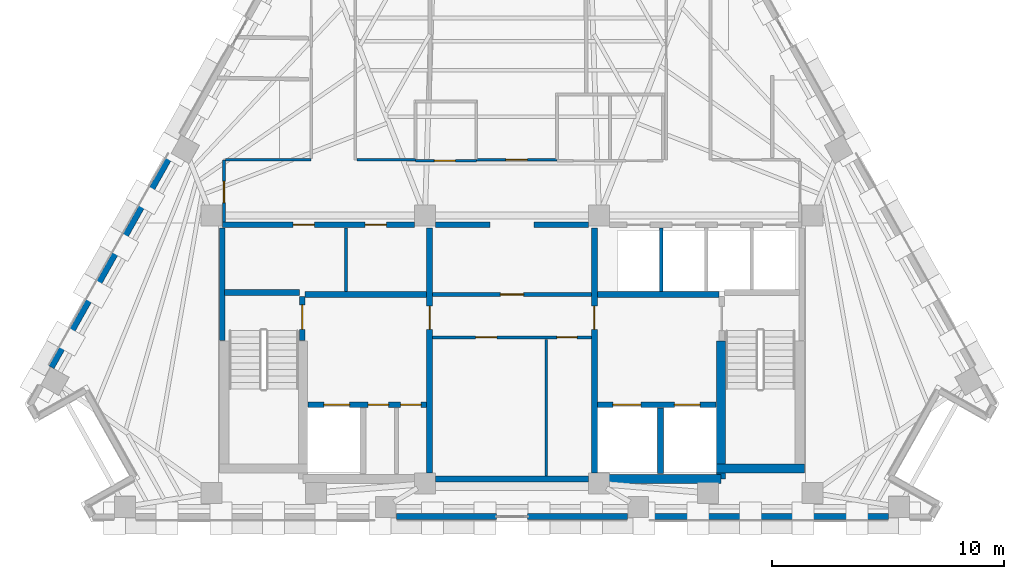
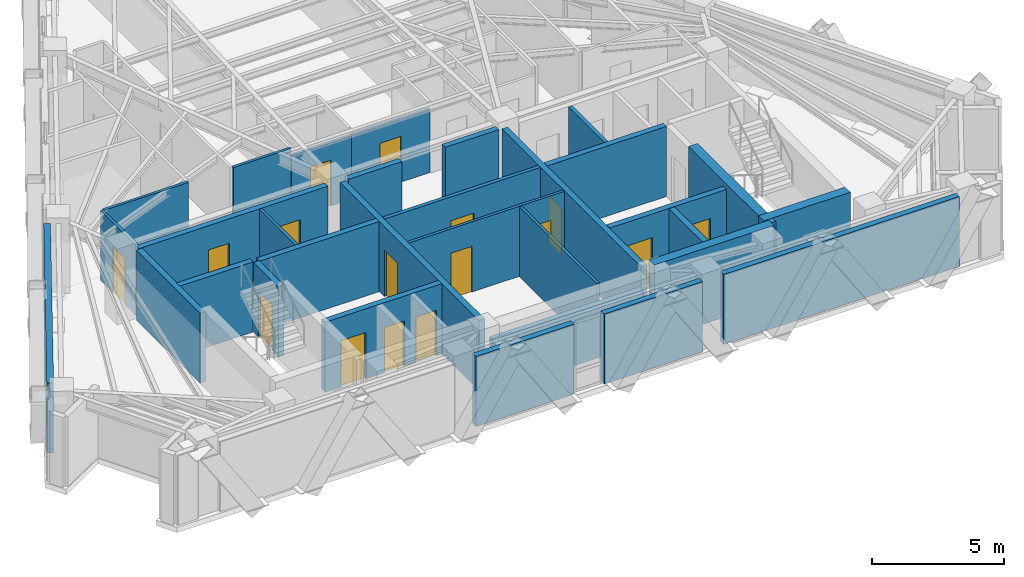
# One storey, part 7 of 12: 31 walls, 16 doors, 16 openings.
"""IFC4 building model written with IfcOpenShell, lengths in metres."""

import ifcopenshell
import ifcopenshell.guid

model = None  # the IFC model being written
_history = None  # IfcOwnerHistory: only IFC2X3 demands one
_inside = {}  # id of a spatial element -> (the spatial element, [elements in it])
_under = {}  # id of a project, library or spatial element -> (it, [spatial elements below it])
_declared = {}  # id of a project -> (the project, [libraries it declares])
_typed = {}  # id of a type object -> (the type object, [elements of that type])
_made_of = {}  # id of a material, layer set ... -> (it, [elements and type objects made of it])


def new_model(schema):
    """Start an empty IFC model of exactly this schema.

    Asked for "IFC4X3", IfcOpenShell would pick the latest addendum, in which some entities
    have other attributes; the version numbers below select the first issue.
    IFC2X3 requires an IfcOwnerHistory on every rooted entity: one is made here for all.
    """
    global model, _history
    if schema == "IFC4X3":
        model = ifcopenshell.file(schema_version=(4, 3, 0, 0))
    else:
        model = ifcopenshell.file(schema=schema)
    _inside.clear()
    _under.clear()
    _declared.clear()
    _typed.clear()
    _made_of.clear()
    _history = None
    if model.schema == "IFC2X3":
        org = make("IfcOrganization", Name="unknown")
        user = make(
            "IfcPersonAndOrganization",
            ThePerson=make("IfcPerson", FamilyName="unknown"),
            TheOrganization=org,
        )
        app = make(
            "IfcApplication",
            ApplicationDeveloper=org,
            Version="unknown",
            ApplicationFullName="unknown",
            ApplicationIdentifier="unknown",
        )
        _history = make(
            "IfcOwnerHistory",
            OwningUser=user,
            OwningApplication=app,
            ChangeAction="ADDED",
            CreationDate=0,
        )
    return model


def make(cls, **values):
    """One entity of the class cls with the attributes given. An attribute that is None is left unset."""
    return model.create_entity(
        cls, **{name: value for name, value in values.items() if value is not None}
    )


def rooted(cls, **values):
    """An entity with a GlobalId (a new one), such as an element, a storey or a relation."""
    return make(cls, GlobalId=ifcopenshell.guid.new(), OwnerHistory=_history, **values)


def si_unit(unit_type, name, prefix=None):
    """IfcSIUnit, for example si_unit("LENGTHUNIT", "METRE", prefix="MILLI")."""
    return make("IfcSIUnit", UnitType=unit_type, Prefix=prefix, Name=name)


def assignment(units):
    """IfcUnitAssignment: the units of a project."""
    return None if units is None else make("IfcUnitAssignment", Units=units)


def point(xyz):
    """IfcCartesianPoint."""
    return None if xyz is None else make("IfcCartesianPoint", Coordinates=xyz)


def direction(xyz):
    """IfcDirection."""
    return None if xyz is None else make("IfcDirection", DirectionRatios=xyz)


def frame(location, z_axis=None, x_axis=None):
    """IfcAxis2Placement3D, a coordinate frame: its origin and axes. An axis left out is left unset."""
    return make(
        "IfcAxis2Placement3D",
        Location=point(location),
        Axis=direction(z_axis),
        RefDirection=direction(x_axis),
    )


def frame_2d(location, x_axis=None):
    """IfcAxis2Placement2D, a coordinate frame in the plane: its origin and x axis."""
    return make(
        "IfcAxis2Placement2D", Location=point(location), RefDirection=direction(x_axis)
    )


def origin():
    """The frame at (0, 0, 0) with its axes left unset."""
    return frame((0.0, 0.0, 0.0))


def place(relative_to, where):
    """IfcLocalPlacement: puts the frame where relative to a parent placement (None: the world)."""
    return make(
        "IfcLocalPlacement", PlacementRelTo=relative_to, RelativePlacement=where
    )


def context(
    kind, dimensions, precision=None, world=None, true_north=None, identifier=None
):
    """IfcGeometricRepresentationContext, for example the 3D "Model" context."""
    return make(
        "IfcGeometricRepresentationContext",
        ContextIdentifier=identifier,
        ContextType=kind,
        CoordinateSpaceDimension=dimensions,
        Precision=precision,
        WorldCoordinateSystem=world,
        TrueNorth=true_north,
    )


def subcontext(parent, identifier, kind, view, scale=None):
    """IfcGeometricRepresentationSubContext, for example "Body" below "Model"."""
    return make(
        "IfcGeometricRepresentationSubContext",
        ContextIdentifier=identifier,
        ContextType=kind,
        ParentContext=parent,
        TargetScale=scale,
        TargetView=view,
    )


def project(units=None, contexts=None):
    """IfcProject with its units and contexts."""
    return rooted(
        "IfcProject",
        Name="project",
        RepresentationContexts=contexts,
        UnitsInContext=assignment(units),
    )


def spatial(cls, under=None, at=None, **own):
    """A site, building, storey or space (cls), placed at a placement, below another one or the project."""
    s = rooted(cls, ObjectPlacement=at, **own)
    if under is not None:
        _under.setdefault(under.id(), (under, []))[1].append(s)
    return s


def profile(cls, at=None, kind="AREA", **sizes):
    """A parametric profile (cls). Its sizes go by their IFC names, for example OverallWidth=200.0."""
    return make(cls, ProfileType=kind, Position=at, **sizes)


def rectangle(**sizes):
    """IfcRectangleProfileDef."""
    return profile("IfcRectangleProfileDef", **sizes)


def extrude(swept, where, along, depth):
    """IfcExtrudedAreaSolid: the profile swept, set in the frame where, extruded along a direction by depth."""
    return make(
        "IfcExtrudedAreaSolid",
        SweptArea=swept,
        Position=where,
        ExtrudedDirection=direction(along),
        Depth=depth,
    )


def shape(context_of_items, identifier, shape_type, items):
    """IfcShapeRepresentation: the items that make up one representation, for example the "Body"."""
    return make(
        "IfcShapeRepresentation",
        ContextOfItems=context_of_items,
        RepresentationIdentifier=identifier,
        RepresentationType=shape_type,
        Items=items,
    )


def material(Name=None, Category=None):
    """IfcMaterial."""
    return make("IfcMaterial", Name=Name, Category=Category)


def layer(
    of_material, thickness, ventilated=None, Name=None, Category=None, Priority=None
):
    """IfcMaterialLayer: one layer of a wall or slab, of a material (None: an air gap)."""
    return make(
        "IfcMaterialLayer",
        Material=of_material,
        LayerThickness=thickness,
        IsVentilated=ventilated,
        Name=Name,
        Category=Category,
        Priority=Priority,
    )


def layer_set(layers, Name=None):
    """IfcMaterialLayerSet."""
    return make("IfcMaterialLayerSet", MaterialLayers=layers, LayerSetName=Name)


def made_of(thing, what):
    """Note that an element or type object is made of a material, layer set ...; save() writes the relation."""
    if what is not None:
        _made_of.setdefault(what.id(), (what, []))[1].append(thing)
    return thing


def type_object(cls, material=None, **own):
    """A type object (cls), such as IfcWallType, which elements share."""
    return made_of(rooted(cls, **own), material)


def element(
    cls,
    number,
    at=None,
    inside=None,
    cuts=None,
    type_object=None,
    material=None,
    context=None,
    identifier="Body",
    shape_type=None,
    held_by="IfcProductDefinitionShape",
    body=None,
    shapes=None,
    **own,
):
    """One element of the class cls, such as IfcWall. Its Tag is "e" and its number.

    at: its placement. inside: the storey or other place that contains it. cuts: it is an
    opening in that element (IfcRelVoidsElement). A single representation is given by context,
    identifier, shape_type and body (its items); several are given by shapes. held_by: the class
    of the entity that holds the representations. save() writes the other relations.
    """
    e = rooted(cls, Tag="e%d" % number, ObjectPlacement=at, **own)
    if body is not None:
        shapes = [shape(context, identifier, shape_type, body)]
    if shapes is not None:
        e.Representation = make(held_by, Representations=shapes)
    if inside is not None:
        _inside.setdefault(inside.id(), (inside, []))[1].append(e)
    if cuts is not None:
        rooted(
            "IfcRelVoidsElement", RelatingBuildingElement=cuts, RelatedOpeningElement=e
        )
    if type_object is not None:
        _typed.setdefault(type_object.id(), (type_object, []))[1].append(e)
    return made_of(e, material)


def fill(opening, filler):
    """IfcRelFillsElement: the door or window that sits in an opening."""
    return rooted(
        "IfcRelFillsElement",
        RelatingOpeningElement=opening,
        RelatedBuildingElement=filler,
    )


def aggregate(whole, parts):
    """IfcRelAggregates: a whole, such as a stair, and the parts it consists of."""
    return rooted("IfcRelAggregates", RelatingObject=whole, RelatedObjects=parts)


def save(model, path):
    """Write the relations noted so far, then the file.

    IfcRelAggregates (storeys below a building ...), IfcRelContainedInSpatialStructure (elements
    in a storey), IfcRelDefinesByType, IfcRelAssociatesMaterial and IfcRelDeclares: one each for
    every whole, place, type object, material and project.
    """
    for whole, parts in _under.values():
        aggregate(whole, parts)
    for where, things in _inside.values():
        rooted(
            "IfcRelContainedInSpatialStructure",
            RelatedElements=things,
            RelatingStructure=where,
        )
    for kind, things in _typed.values():
        rooted("IfcRelDefinesByType", RelatedObjects=things, RelatingType=kind)
    for what, things in _made_of.values():
        rooted("IfcRelAssociatesMaterial", RelatedObjects=things, RelatingMaterial=what)
    for by, libraries in _declared.values():
        rooted("IfcRelDeclares", RelatingContext=by, RelatedDefinitions=libraries)
    model.write(path)


model = new_model("IFC4")

# Units and contexts
model_context = context("Model", 3, precision=1e-05, world=origin(), true_north=direction((0.0, 1.0)))
body_context = subcontext(model_context, "Body", "Model", "MODEL_VIEW")
ifc_project = project(units=[si_unit("LENGTHUNIT", "METRE"), si_unit("AREAUNIT", "SQUARE_METRE"), si_unit("VOLUMEUNIT", "CUBIC_METRE"), si_unit("PLANEANGLEUNIT", "RADIAN"), si_unit("MASSUNIT", "GRAM", prefix="KILO")], contexts=[model_context])

# Site, building, storey
site_placement = place(None, origin())
site = spatial("IfcSite", under=ifc_project, at=site_placement, CompositionType="ELEMENT")
building_placement = place(site_placement, origin())
building = spatial("IfcBuilding", under=site, at=building_placement, Name="Quenlor Broadcast Tower", CompositionType="ELEMENT")
storey_placement = place(building_placement, frame((0.0, 0.0, 197.39990234375)))
storey = spatial("IfcBuildingStorey", under=building, at=storey_placement, Name="L54", CompositionType="ELEMENT", Elevation=197.39990234375)

# Walls
ifc_material_1 = material(Name="Concrete C50/60", Category="concrete")
ifc_layer_1 = layer(ifc_material_1, 0.39990234375)
ifc_layer_set_1 = layer_set([ifc_layer_1], Name="Core Concrete C50/60 Shear Wall 400")
wall_type_1 = type_object("IfcWallType", Name="Core Concrete C50/60 Shear Wall 400", PredefinedType="SHEAR", material=ifc_layer_set_1)
wall_1_placement = place(storey_placement, frame((3.75, -16.14990234375, 0.0), z_axis=(0.0, 0.0, 1.0), x_axis=(1.0, 0.0, 0.0)))
element("IfcWall", 1, at=wall_1_placement, inside=storey, type_object=wall_type_1, Name="L54 Core Shear Wall WS-E1", PredefinedType="SHEAR", context=body_context, shape_type="SweptSolid", body=[
    extrude(rectangle(XDim=5.25, YDim=0.39990234375, at=frame_2d((2.625, 0.0))), origin(), (0.0, 0.0, 1.0), 3.5),
])
wall_2_placement = place(storey_placement, frame((8.800048828125, -15.699951171875, 0.0), z_axis=(0.0, 0.0, 1.0), x_axis=(1.0, 0.0, 0.0)))
element("IfcWall", 2, at=wall_2_placement, inside=storey, type_object=wall_type_1, Name="L54 Core Shear Wall WS-E2", PredefinedType="SHEAR", context=body_context, shape_type="SweptSolid", body=[
    extrude(rectangle(XDim=3.800048828125, YDim=0.39990234375, at=frame_2d((1.89990234375, 0.0))), origin(), (0.0, 0.0, 1.0), 3.5),
])
wall_3_placement = place(storey_placement, frame((9.0, -16.14990234375, 0.0), z_axis=(0.0, 0.0, 1.0), x_axis=(0.0, 1.0, 0.0)))
element("IfcWall", 3, at=wall_3_placement, inside=storey, type_object=wall_type_1, Name="L54 Core Shear Wall WI-E", PredefinedType="SHEAR", context=body_context, shape_type="SweptSolid", body=[
    extrude(rectangle(XDim=5.949951171875, YDim=0.39990234375, at=frame_2d((2.97509765625, 0.0))), origin(), (0.0, 0.0, 1.0), 3.5),
])

# Wall, opening, door
ifc_material_2 = material(Name="Concrete C40/50", Category="concrete")
ifc_layer_2 = layer(ifc_material_2, 0.25)
ifc_layer_set_2 = layer_set([ifc_layer_2], Name="Fire Rated Concrete C40/50 Core Wall 250")
wall_type_2 = type_object("IfcWallType", Name="Fire Rated Concrete C40/50 Core Wall 250", PredefinedType="PARTITIONING", material=ifc_layer_set_2)
wall_4_placement = place(storey_placement, frame((-9.0400390625, -10.179931640625, 0.0), z_axis=(0.0, 0.0, 1.0), x_axis=(0.0, 1.0, 0.0)))
wall_4 = element("IfcWall", 4, at=wall_4_placement, inside=storey, type_object=wall_type_2, Name="L54 Interior Wall CW-ST1-DR", PredefinedType="PARTITIONING", context=body_context, shape_type="SweptSolid", body=[
    extrude(rectangle(XDim=1.89990234375, YDim=0.25, at=frame_2d((0.949951171875, 0.0))), origin(), (0.0, 0.0, 1.0), 3.25),
])
opening_1_placement = place(wall_4_placement, frame((0.47998046875, 0.0, 0.0)))
opening_1 = element("IfcOpeningElement", 5, at=opening_1_placement, cuts=wall_4, Name="Opening FD-1", PredefinedType="OPENING", context=body_context, shape_type="SweptSolid", body=[
    extrude(rectangle(XDim=1.050048828125, YDim=2.14990234375, at=frame_2d((0.52490234375, 1.074951171875))), frame((0.0, 0.135009765625, 0.0), z_axis=(0.0, -1.0, 0.0), x_axis=(1.0, 0.0, 0.0)), (0.0, 0.0, 1.0), 0.27001953125),
])
ifc_material_3 = material(Name="Fire Rated Steel Door Leaf", Category="steel")
door_type_1 = type_object("IfcDoorType", Name="Fire Isolated Stair Door 1050x2150", OperationType="NOTDEFINED", PredefinedType="DOOR", material=ifc_material_3)
door_1_placement = place(opening_1_placement, origin())
door_1 = element("IfcDoor", 6, at=door_1_placement, inside=storey, type_object=door_type_1, Name="L54 Door DR-ST1", OperationType="SINGLE_SWING_LEFT", OverallHeight=2.14990234375, OverallWidth=1.050048828125, PredefinedType="DOOR", context=body_context, shape_type="SweptSolid", body=[
    extrude(rectangle(XDim=1.050048828125, YDim=2.14990234375, at=frame_2d((0.52490234375, 1.074951171875))), frame((0.0, 0.02490234375, 0.0), z_axis=(0.0, -1.0, 0.0), x_axis=(1.0, 0.0, 0.0)), (0.0, 0.0, 1.0), 0.050048828125),
])
fill(opening_1, door_1)

# Walls
wall_5_placement = place(storey_placement, frame((-12.3798828125, -8.1201171875, 0.0), z_axis=(0.0, 0.0, 1.0), x_axis=(1.0, 0.0, 0.0)))
element("IfcWall", 7, at=wall_5_placement, inside=storey, type_object=wall_type_2, Name="L54 Interior Wall CW-ST1-N", PredefinedType="PARTITIONING", context=body_context, shape_type="SweptSolid", body=[
    extrude(rectangle(XDim=3.219970703125, YDim=0.25, at=frame_2d((1.60986328125, 0.0))), origin(), (0.0, 0.0, 1.0), 3.25),
])
wall_6_placement = place(storey_placement, frame((-12.47998046875, -10.179931640625, 0.0), z_axis=(0.0, 0.0, 1.0), x_axis=(0.0, 1.0, 0.0)))
element("IfcWall", 8, at=wall_6_placement, inside=storey, type_object=wall_type_2, Name="L54 Interior Wall CW-ST1-W2", PredefinedType="PARTITIONING", context=body_context, shape_type="SweptSolid", body=[
    extrude(rectangle(XDim=4.83984375, YDim=0.25, at=frame_2d((2.419921875, 0.0))), origin(), (0.0, 0.0, 1.0), 3.25),
])

# Wall, openings, doors
wall_7_placement = place(storey_placement, frame((-8.798095703125, -12.949951171875, 0.0), z_axis=(0.0, 0.0, 1.0), x_axis=(1.0, 0.0, 0.0)))
wall_7 = element("IfcWall", 9, at=wall_7_placement, inside=storey, type_object=wall_type_2, Name="L54 Interior Wall CW-FFW-S", PredefinedType="PARTITIONING", context=body_context, shape_type="SweptSolid", body=[
    extrude(rectangle(XDim=5.1181640625, YDim=0.25, at=frame_2d((2.55908203125, 0.0))), origin(), (0.0, 0.0, 1.0), 3.25),
])
opening_2_placement = place(wall_7_placement, frame((0.697998046875, 0.0, 0.0)))
opening_2 = element("IfcOpeningElement", 10, at=opening_2_placement, cuts=wall_7, Name="Opening LD-FFL-1", PredefinedType="OPENING", context=body_context, shape_type="SweptSolid", body=[
    extrude(rectangle(XDim=1.10009765625, YDim=2.14990234375, at=frame_2d((0.550048828125, 1.074951171875))), frame((0.0, 0.135009765625, 0.0), z_axis=(0.0, -1.0, 0.0), x_axis=(1.0, 0.0, 0.0)), (0.0, 0.0, 1.0), 0.27001953125),
])
opening_3_placement = place(wall_7_placement, frame((2.597900390625, 0.0, 0.0)))
opening_3 = element("IfcOpeningElement", 11, at=opening_3_placement, cuts=wall_7, Name="Opening TD-1", PredefinedType="OPENING", context=body_context, shape_type="SweptSolid", body=[
    extrude(rectangle(XDim=0.8798828125, YDim=2.10009765625, at=frame_2d((0.43994140625, 1.050048828125))), frame((0.0, 0.135009765625, 0.0), z_axis=(0.0, -1.0, 0.0), x_axis=(1.0, 0.0, 0.0)), (0.0, 0.0, 1.0), 0.27001953125),
])
opening_4_placement = place(wall_7_placement, frame((3.998046875, 0.0, 0.0)))
opening_4 = element("IfcOpeningElement", 12, at=opening_4_placement, cuts=wall_7, Name="Opening TD-1", PredefinedType="OPENING", context=body_context, shape_type="SweptSolid", body=[
    extrude(rectangle(XDim=0.8798828125, YDim=2.10009765625, at=frame_2d((0.43994140625, 1.050048828125))), frame((0.0, 0.135009765625, 0.0), z_axis=(0.0, -1.0, 0.0), x_axis=(1.0, 0.0, 0.0)), (0.0, 0.0, 1.0), 0.27001953125),
])
ifc_material_4 = material(Name="Brushed Stainless Steel", Category="steel")
door_type_2 = type_object("IfcDoorType", Name="Emergency Lift Sliding Landing Door 1100x2150", OperationType="NOTDEFINED", PredefinedType="DOOR", material=ifc_material_4)
door_2_placement = place(opening_2_placement, origin())
door_2 = element("IfcDoor", 13, at=door_2_placement, inside=storey, type_object=door_type_2, Name="L54 Door LD-FFL-1", OperationType="SLIDING_TO_LEFT", OverallHeight=2.14990234375, OverallWidth=1.10009765625, PredefinedType="DOOR", context=body_context, shape_type="SweptSolid", body=[
    extrude(rectangle(XDim=1.10009765625, YDim=2.14990234375, at=frame_2d((0.550048828125, 1.074951171875))), frame((0.0, 0.02490234375, 0.0), z_axis=(0.0, -1.0, 0.0), x_axis=(1.0, 0.0, 0.0)), (0.0, 0.0, 1.0), 0.050048828125),
])
fill(opening_2, door_2)
ifc_material_5 = material(Name="Fire Rated Steel Access Panel", Category="steel")
door_type_3 = type_object("IfcDoorType", Name="Riser Shaft Rated Access Trapdoor 880x2100", OperationType="NOTDEFINED", PredefinedType="TRAPDOOR", material=ifc_material_5)
door_3_placement = place(opening_3_placement, origin())
door_3 = element("IfcDoor", 14, at=door_3_placement, inside=storey, type_object=door_type_3, Name="L54 Door DR-ELR", OperationType="SINGLE_SWING_LEFT", OverallHeight=2.10009765625, OverallWidth=0.8798828125, PredefinedType="TRAPDOOR", context=body_context, shape_type="SweptSolid", body=[
    extrude(rectangle(XDim=0.8798828125, YDim=2.10009765625, at=frame_2d((0.43994140625, 1.050048828125))), frame((0.0, 0.02490234375, 0.0), z_axis=(0.0, -1.0, 0.0), x_axis=(1.0, 0.0, 0.0)), (0.0, 0.0, 1.0), 0.050048828125),
])
fill(opening_3, door_3)
door_4_placement = place(opening_4_placement, origin())
door_4 = element("IfcDoor", 15, at=door_4_placement, inside=storey, type_object=door_type_3, Name="L54 Door DR-CMR", OperationType="SINGLE_SWING_RIGHT", OverallHeight=2.10009765625, OverallWidth=0.8798828125, PredefinedType="TRAPDOOR", context=body_context, shape_type="SweptSolid", body=[
    extrude(rectangle(XDim=0.8798828125, YDim=2.10009765625, at=frame_2d((0.43994140625, 1.050048828125))), frame((0.0, 0.02490234375, 0.0), z_axis=(0.0, -1.0, 0.0), x_axis=(1.0, 0.0, 0.0)), (0.0, 0.0, 1.0), 0.050048828125),
])
fill(opening_4, door_4)

wall_8_placement = place(storey_placement, frame((3.679931640625, -12.949951171875, 0.0), z_axis=(0.0, 0.0, 1.0), x_axis=(1.0, 0.0, 0.0)))
wall_8 = element("IfcWall", 16, at=wall_8_placement, inside=storey, type_object=wall_type_2, Name="L54 Interior Wall CW-FFE-S", PredefinedType="PARTITIONING", context=body_context, shape_type="SweptSolid", body=[
    extrude(rectangle(XDim=5.1181640625, YDim=0.25, at=frame_2d((2.55908203125, 0.0))), origin(), (0.0, 0.0, 1.0), 3.25),
])
opening_5_placement = place(wall_8_placement, frame((3.320068359375, 0.0, 0.0)))
opening_5 = element("IfcOpeningElement", 17, at=opening_5_placement, cuts=wall_8, Name="Opening LD-FFL-2", PredefinedType="OPENING", context=body_context, shape_type="SweptSolid", body=[
    extrude(rectangle(XDim=1.10009765625, YDim=2.14990234375, at=frame_2d((0.550048828125, 1.074951171875))), frame((0.0, 0.135009765625, 0.0), z_axis=(0.0, -1.0, 0.0), x_axis=(1.0, 0.0, 0.0)), (0.0, 0.0, 1.0), 0.27001953125),
])
opening_6_placement = place(wall_8_placement, frame((0.669921875, 0.0, 0.0)))
opening_6 = element("IfcOpeningElement", 18, at=opening_6_placement, cuts=wall_8, Name="Opening LD-SVL-1", PredefinedType="OPENING", context=body_context, shape_type="SweptSolid", body=[
    extrude(rectangle(XDim=1.199951171875, YDim=2.14990234375, at=frame_2d((0.60009765625, 1.074951171875))), frame((0.0, 0.135009765625, 0.0), z_axis=(0.0, -1.0, 0.0), x_axis=(1.0, 0.0, 0.0)), (0.0, 0.0, 1.0), 0.27001953125),
])
door_5_placement = place(opening_5_placement, origin())
door_5 = element("IfcDoor", 19, at=door_5_placement, inside=storey, type_object=door_type_2, Name="L54 Door LD-FFL-2", OperationType="SLIDING_TO_RIGHT", OverallHeight=2.14990234375, OverallWidth=1.10009765625, PredefinedType="DOOR", context=body_context, shape_type="SweptSolid", body=[
    extrude(rectangle(XDim=1.10009765625, YDim=2.14990234375, at=frame_2d((0.550048828125, 1.074951171875))), frame((0.0, 0.02490234375, 0.0), z_axis=(0.0, -1.0, 0.0), x_axis=(1.0, 0.0, 0.0)), (0.0, 0.0, 1.0), 0.050048828125),
])
fill(opening_5, door_5)
ifc_material_6 = material(Name="Brushed Stainless Steel", Category="steel")
door_type_4 = type_object("IfcDoorType", Name="Goods Lift Sliding Landing Door 1200x2150", OperationType="NOTDEFINED", PredefinedType="DOOR", material=ifc_material_6)
door_6_placement = place(opening_6_placement, origin())
door_6 = element("IfcDoor", 20, at=door_6_placement, inside=storey, type_object=door_type_4, Name="L54 Door LD-SVL-1", OperationType="SLIDING_TO_LEFT", OverallHeight=2.14990234375, OverallWidth=1.199951171875, PredefinedType="DOOR", context=body_context, shape_type="SweptSolid", body=[
    extrude(rectangle(XDim=1.199951171875, YDim=2.14990234375, at=frame_2d((0.60009765625, 1.074951171875))), frame((0.0, 0.02490234375, 0.0), z_axis=(0.0, -1.0, 0.0), x_axis=(1.0, 0.0, 0.0)), (0.0, 0.0, 1.0), 0.050048828125),
])
fill(opening_6, door_6)

# Walls
wall_9_placement = place(storey_placement, frame((6.39990234375, -15.919921875, 0.0), z_axis=(0.0, 0.0, 1.0), x_axis=(0.0, 1.0, 0.0)))
element("IfcWall", 21, at=wall_9_placement, inside=storey, type_object=wall_type_2, Name="L54 Interior Wall CW-SV1-E", PredefinedType="PARTITIONING", context=body_context, shape_type="SweptSolid", body=[
    extrude(rectangle(XDim=2.829833984375, YDim=0.25, at=frame_2d((1.4150390625, 0.0))), origin(), (0.0, 0.0, 1.0), 3.25),
])
for number, where, z_axis, x_axis, name in (
    (22, (-8.919921875, -8.199951171875, 0.0), (0.0, 0.0, 1.0), (1.0, 0.0, 0.0), "L54 Interior Wall CW-FFW-N"),
    (23, (3.679931640625, -8.199951171875, 0.0), (0.0, 0.0, 1.0), (1.0, 0.0, 0.0), "L54 Interior Wall CW-FFE-N"),
):
    element("IfcWall", number, at=place(storey_placement, frame(where, z_axis=z_axis, x_axis=x_axis)), inside=storey, type_object=wall_type_2, Name=name, PredefinedType="PARTITIONING", context=body_context, shape_type="SweptSolid", body=[
        extrude(rectangle(XDim=5.239990234375, YDim=0.25, at=frame_2d((2.6201171875, 0.0))), origin(), (0.0, 0.0, 1.0), 3.25),
    ])

# Wall, opening, door
wall_10_placement = place(storey_placement, frame((-3.550048828125, -15.89794921875, 0.0), z_axis=(0.0, 0.0, 1.0), x_axis=(0.0, 1.0, 0.0)))
wall_10 = element("IfcWall", 24, at=wall_10_placement, inside=storey, type_object=wall_type_2, Name="L54 Interior Wall CW-FFW-E", PredefinedType="PARTITIONING", context=body_context, shape_type="SweptSolid", body=[
    extrude(rectangle(XDim=10.557861328125, YDim=0.25, at=frame_2d((5.27880859375, 0.0))), origin(), (0.0, 0.0, 1.0), 3.25),
])
opening_7_placement = place(wall_10_placement, frame((6.197998046875, 0.0, 0.0)))
opening_7 = element("IfcOpeningElement", 25, at=opening_7_placement, cuts=wall_10, Name="Opening FD-2", PredefinedType="OPENING", context=body_context, shape_type="SweptSolid", body=[
    extrude(rectangle(XDim=1.0, YDim=2.14990234375, at=frame_2d((0.5, 1.074951171875))), frame((0.0, 0.135009765625, 0.0), z_axis=(0.0, -1.0, 0.0), x_axis=(1.0, 0.0, 0.0)), (0.0, 0.0, 1.0), 0.27001953125),
])
ifc_material_7 = material(Name="Fire Rated Glazed Steel Door", Category="steel")
door_type_5 = type_object("IfcDoorType", Name="Firefighting Lobby Smoke Door 1000x2150", OperationType="NOTDEFINED", PredefinedType="DOOR", material=ifc_material_7)
door_7_placement = place(opening_7_placement, origin())
door_7 = element("IfcDoor", 26, at=door_7_placement, inside=storey, type_object=door_type_5, Name="L54 Door DR-FFLW", OperationType="SINGLE_SWING_RIGHT", OverallHeight=2.14990234375, OverallWidth=1.0, PredefinedType="DOOR", context=body_context, shape_type="SweptSolid", body=[
    extrude(rectangle(XDim=1.0, YDim=2.14990234375, at=frame_2d((0.5, 1.074951171875))), frame((0.0, 0.02490234375, 0.0), z_axis=(0.0, -1.0, 0.0), x_axis=(1.0, 0.0, 0.0)), (0.0, 0.0, 1.0), 0.050048828125),
])
fill(opening_7, door_7)

wall_11_placement = place(storey_placement, frame((3.550048828125, -15.89794921875, 0.0), z_axis=(0.0, 0.0, 1.0), x_axis=(0.0, 1.0, 0.0)))
wall_11 = element("IfcWall", 27, at=wall_11_placement, inside=storey, type_object=wall_type_2, Name="L54 Interior Wall CW-FFE-W", PredefinedType="PARTITIONING", context=body_context, shape_type="SweptSolid", body=[
    extrude(rectangle(XDim=10.557861328125, YDim=0.25, at=frame_2d((5.27880859375, 0.0))), origin(), (0.0, 0.0, 1.0), 3.25),
])
opening_8_placement = place(wall_11_placement, frame((6.197998046875, 0.0, 0.0)))
opening_8 = element("IfcOpeningElement", 28, at=opening_8_placement, cuts=wall_11, Name="Opening FD-2", PredefinedType="OPENING", context=body_context, shape_type="SweptSolid", body=[
    extrude(rectangle(XDim=1.0, YDim=2.14990234375, at=frame_2d((0.5, 1.074951171875))), frame((0.0, 0.135009765625, 0.0), z_axis=(0.0, -1.0, 0.0), x_axis=(1.0, 0.0, 0.0)), (0.0, 0.0, 1.0), 0.27001953125),
])
door_8_placement = place(opening_8_placement, origin())
door_8 = element("IfcDoor", 29, at=door_8_placement, inside=storey, type_object=door_type_5, Name="L54 Door DR-FFLE", OperationType="SINGLE_SWING_LEFT", OverallHeight=2.14990234375, OverallWidth=1.0, PredefinedType="DOOR", context=body_context, shape_type="SweptSolid", body=[
    extrude(rectangle(XDim=1.0, YDim=2.14990234375, at=frame_2d((0.5, 1.074951171875))), frame((0.0, 0.02490234375, 0.0), z_axis=(0.0, -1.0, 0.0), x_axis=(1.0, 0.0, 0.0)), (0.0, 0.0, 1.0), 0.050048828125),
])
fill(opening_8, door_8)

# Wall, openings, doors
wall_12_placement = place(storey_placement, frame((-12.47998046875, -5.199951171875, 0.0), z_axis=(0.0, 0.0, 1.0), x_axis=(1.0, 0.0, 0.0)))
wall_12 = element("IfcWall", 30, at=wall_12_placement, inside=storey, type_object=wall_type_2, Name="L54 Interior Wall CW-N-W", PredefinedType="PARTITIONING", context=body_context, shape_type="SweptSolid", body=[
    extrude(rectangle(XDim=8.278076171875, YDim=0.25, at=frame_2d((4.13916015625, 0.0))), origin(), (0.0, 0.0, 1.0), 3.25),
])
opening_9_placement = place(wall_12_placement, frame((3.050048828125, 0.0, 0.0)))
opening_9 = element("IfcOpeningElement", 31, at=opening_9_placement, cuts=wall_12, Name="Opening ID-1", PredefinedType="OPENING", context=body_context, shape_type="SweptSolid", body=[
    extrude(rectangle(XDim=0.919921875, YDim=2.1201171875, at=frame_2d((0.4599609375, 1.06005859375))), frame((0.0, 0.135009765625, 0.0), z_axis=(0.0, -1.0, 0.0), x_axis=(1.0, 0.0, 0.0)), (0.0, 0.0, 1.0), 0.27001953125),
])
opening_10_placement = place(wall_12_placement, frame((6.14990234375, 0.0, 0.0)))
opening_10 = element("IfcOpeningElement", 32, at=opening_10_placement, cuts=wall_12, Name="Opening ID-1", PredefinedType="OPENING", context=body_context, shape_type="SweptSolid", body=[
    extrude(rectangle(XDim=0.919921875, YDim=2.1201171875, at=frame_2d((0.4599609375, 1.06005859375))), frame((0.0, 0.135009765625, 0.0), z_axis=(0.0, -1.0, 0.0), x_axis=(1.0, 0.0, 0.0)), (0.0, 0.0, 1.0), 0.27001953125),
])
ifc_material_8 = material(Name="Solid Core Timber Oak", Category="wood")
door_type_6 = type_object("IfcDoorType", Name="Single Leaf Timber Office Door 920x2120", OperationType="NOTDEFINED", PredefinedType="DOOR", material=ifc_material_8)
door_9_placement = place(opening_9_placement, origin())
door_9 = element("IfcDoor", 33, at=door_9_placement, inside=storey, type_object=door_type_6, Name="L54 Door DR-RCL1", OperationType="SINGLE_SWING_LEFT", OverallHeight=2.1201171875, OverallWidth=0.919921875, PredefinedType="DOOR", context=body_context, shape_type="SweptSolid", body=[
    extrude(rectangle(XDim=0.919921875, YDim=2.1201171875, at=frame_2d((0.4599609375, 1.06005859375))), frame((0.0, 0.02490234375, 0.0), z_axis=(0.0, -1.0, 0.0), x_axis=(1.0, 0.0, 0.0)), (0.0, 0.0, 1.0), 0.050048828125),
])
fill(opening_9, door_9)
door_10_placement = place(opening_10_placement, origin())
door_10 = element("IfcDoor", 34, at=door_10_placement, inside=storey, type_object=door_type_6, Name="L54 Door DR-RCL2", OperationType="SINGLE_SWING_RIGHT", OverallHeight=2.1201171875, OverallWidth=0.919921875, PredefinedType="DOOR", context=body_context, shape_type="SweptSolid", body=[
    extrude(rectangle(XDim=0.919921875, YDim=2.1201171875, at=frame_2d((0.4599609375, 1.06005859375))), frame((0.0, 0.02490234375, 0.0), z_axis=(0.0, -1.0, 0.0), x_axis=(1.0, 0.0, 0.0)), (0.0, 0.0, 1.0), 0.050048828125),
])
fill(opening_10, door_10)

# Walls
for number, where, z_axis, x_axis, name in (
    (35, (-3.298095703125, -5.199951171875, 0.0), (0.0, 0.0, 1.0), (1.0, 0.0, 0.0), "L54 Interior Wall CW-N-M1"),
    (36, (0.949951171875, -5.199951171875, 0.0), (0.0, 0.0, 1.0), (1.0, 0.0, 0.0), "L54 Interior Wall CW-N-M2"),
):
    element("IfcWall", number, at=place(storey_placement, frame(where, z_axis=z_axis, x_axis=x_axis)), inside=storey, type_object=wall_type_2, Name=name, PredefinedType="PARTITIONING", context=body_context, shape_type="SweptSolid", body=[
        extrude(rectangle(XDim=2.34814453125, YDim=0.25, at=frame_2d((1.174072265625, 0.0))), origin(), (0.0, 0.0, 1.0), 3.25),
    ])
wall_13_placement = place(storey_placement, frame((-3.298095703125, -16.14990234375, 0.0), z_axis=(0.0, 0.0, 1.0), x_axis=(1.0, 0.0, 0.0)))
element("IfcWall", 37, at=wall_13_placement, inside=storey, type_object=wall_type_2, Name="L54 Interior Wall CW-MS-S", PredefinedType="PARTITIONING", context=body_context, shape_type="SweptSolid", body=[
    extrude(rectangle(XDim=6.59619140625, YDim=0.25, at=frame_2d((3.298095703125, 0.0))), origin(), (0.0, 0.0, 1.0), 2.4501953125),
])
ifc_material_9 = material(Name="Gypsum Fireboard Partition", Category="other")
ifc_layer_3 = layer(ifc_material_9, 0.159912109375)
ifc_layer_set_3 = layer_set([ifc_layer_3], Name="Fire Rated Shaft and Corridor Partition 160")
wall_type_3 = type_object("IfcWallType", Name="Fire Rated Shaft and Corridor Partition 160", PredefinedType="PARTITIONING", material=ifc_layer_set_3)
wall_14_placement = place(storey_placement, frame((6.425048828125, -8.072998046875, 0.0), z_axis=(0.0, 0.0, 1.0), x_axis=(0.0, 1.0, 0.0)))
element("IfcWall", 38, at=wall_14_placement, inside=storey, type_object=wall_type_3, Name="L54 Interior Wall CW-PLH-D1", PredefinedType="PARTITIONING", context=body_context, shape_type="SweptSolid", body=[
    extrude(rectangle(XDim=2.73291015625, YDim=0.159912109375, at=frame_2d((1.366455078125, 0.0))), origin(), (0.0, 0.0, 1.0), 3.25),
])

# Wall, opening, door
wall_15_placement = place(storey_placement, frame((-3.419921875, -8.199951171875, 0.0), z_axis=(0.0, 0.0, 1.0), x_axis=(1.0, 0.0, 0.0)))
wall_15 = element("IfcWall", 39, at=wall_15_placement, inside=storey, type_object=wall_type_3, Name="L54 Interior Wall CW-M-BACK", PredefinedType="PARTITIONING", context=body_context, shape_type="SweptSolid", body=[
    extrude(rectangle(XDim=6.83984375, YDim=0.159912109375, at=frame_2d((3.419921875, 0.0))), origin(), (0.0, 0.0, 1.0), 3.25),
])
opening_11_placement = place(wall_15_placement, frame((2.919921875, 0.0, 0.0)))
opening_11 = element("IfcOpeningElement", 40, at=opening_11_placement, cuts=wall_15, Name="Opening FD-2", PredefinedType="OPENING", context=body_context, shape_type="SweptSolid", body=[
    extrude(rectangle(XDim=1.0, YDim=2.14990234375, at=frame_2d((0.5, 1.074951171875))), frame((0.0, 0.08984375, 0.0), z_axis=(0.0, -1.0, 0.0), x_axis=(1.0, 0.0, 0.0)), (0.0, 0.0, 1.0), 0.179931640625),
])
door_11_placement = place(opening_11_placement, origin())
door_11 = element("IfcDoor", 41, at=door_11_placement, inside=storey, type_object=door_type_5, Name="L54 Door DR-CCRP", OperationType="SINGLE_SWING_LEFT", OverallHeight=2.14990234375, OverallWidth=1.0, PredefinedType="DOOR", context=body_context, shape_type="SweptSolid", body=[
    extrude(rectangle(XDim=1.0, YDim=2.14990234375, at=frame_2d((0.5, 1.074951171875))), frame((0.0, 0.02490234375, 0.0), z_axis=(0.0, -1.0, 0.0), x_axis=(1.0, 0.0, 0.0)), (0.0, 0.0, 1.0), 0.050048828125),
])
fill(opening_11, door_11)

# Wall
ifc_material_10 = material(Name="Gypsum Plasterboard Partition", Category="other")
ifc_layer_4 = layer(ifc_material_10, 0.1201171875)
ifc_layer_set_4 = layer_set([ifc_layer_4], Name="Standard Office Partition 120")
wall_type_4 = type_object("IfcWallType", Name="Standard Office Partition 120", PredefinedType="PARTITIONING", material=ifc_layer_set_4)
wall_16_placement = place(storey_placement, frame((-7.14990234375, -8.072998046875, 0.0), z_axis=(0.0, 0.0, 1.0), x_axis=(0.0, 1.0, 0.0)))
element("IfcWall", 42, at=wall_16_placement, inside=storey, type_object=wall_type_4, Name="L54 Interior Wall CW-RCL-MID", PredefinedType="PARTITIONING", context=body_context, shape_type="SweptSolid", body=[
    extrude(rectangle(XDim=2.73291015625, YDim=0.1201171875, at=frame_2d((1.366455078125, 0.0))), origin(), (0.0, 0.0, 1.0), 3.25),
])

# Wall, openings, doors
wall_17_placement = place(storey_placement, frame((-3.419921875, -10.050048828125, 0.0), z_axis=(0.0, 0.0, 1.0), x_axis=(1.0, 0.0, 0.0)))
wall_17 = element("IfcWall", 43, at=wall_17_placement, inside=storey, type_object=wall_type_4, Name="L54 Interior Wall CW-MS-N", PredefinedType="PARTITIONING", context=body_context, shape_type="SweptSolid", body=[
    extrude(rectangle(XDim=6.83984375, YDim=0.1201171875, at=frame_2d((3.419921875, 0.0))), origin(), (0.0, 0.0, 1.0), 3.25),
])
opening_12_placement = place(wall_17_placement, frame((1.85009765625, 0.0, 0.0)))
opening_12 = element("IfcOpeningElement", 44, at=opening_12_placement, cuts=wall_17, Name="Opening ID-1", PredefinedType="OPENING", context=body_context, shape_type="SweptSolid", body=[
    extrude(rectangle(XDim=0.919921875, YDim=2.1201171875, at=frame_2d((0.4599609375, 1.06005859375))), frame((0.0, 0.070068359375, 0.0), z_axis=(0.0, -1.0, 0.0), x_axis=(1.0, 0.0, 0.0)), (0.0, 0.0, 1.0), 0.14013671875),
])
opening_13_placement = place(wall_17_placement, frame((5.35009765625, 0.0, 0.0)))
opening_13 = element("IfcOpeningElement", 45, at=opening_13_placement, cuts=wall_17, Name="Opening ID-4", PredefinedType="OPENING", context=body_context, shape_type="SweptSolid", body=[
    extrude(rectangle(XDim=0.8798828125, YDim=2.1201171875, at=frame_2d((0.43994140625, 1.06005859375))), frame((0.0, 0.070068359375, 0.0), z_axis=(0.0, -1.0, 0.0), x_axis=(1.0, 0.0, 0.0)), (0.0, 0.0, 1.0), 0.14013671875),
])
ifc_material_11 = material(Name="Solid Core Timber Oak", Category="wood")
door_type_7 = type_object("IfcDoorType", Name="Service Closet Timber Door 880x2120", OperationType="NOTDEFINED", PredefinedType="DOOR", material=ifc_material_11)
door_12_placement = place(opening_13_placement, origin())
door_12 = element("IfcDoor", 46, at=door_12_placement, inside=storey, type_object=door_type_7, Name="L54 Door DR-RCMB", OperationType="SINGLE_SWING_RIGHT", OverallHeight=2.1201171875, OverallWidth=0.8798828125, PredefinedType="DOOR", context=body_context, shape_type="SweptSolid", body=[
    extrude(rectangle(XDim=0.8798828125, YDim=2.1201171875, at=frame_2d((0.43994140625, 1.06005859375))), frame((0.0, 0.02490234375, 0.0), z_axis=(0.0, -1.0, 0.0), x_axis=(1.0, 0.0, 0.0)), (0.0, 0.0, 1.0), 0.050048828125),
])
fill(opening_13, door_12)
door_13_placement = place(opening_12_placement, origin())
door_13 = element("IfcDoor", 47, at=door_13_placement, inside=storey, type_object=door_type_6, Name="L54 Door DR-RCMA", OperationType="SINGLE_SWING_LEFT", OverallHeight=2.1201171875, OverallWidth=0.919921875, PredefinedType="DOOR", context=body_context, shape_type="SweptSolid", body=[
    extrude(rectangle(XDim=0.919921875, YDim=2.1201171875, at=frame_2d((0.4599609375, 1.06005859375))), frame((0.0, 0.02490234375, 0.0), z_axis=(0.0, -1.0, 0.0), x_axis=(1.0, 0.0, 0.0)), (0.0, 0.0, 1.0), 0.050048828125),
])
fill(opening_12, door_13)

# Wall
wall_18_placement = place(storey_placement, frame((1.47998046875, -16.02001953125, 0.0), z_axis=(0.0, 0.0, 1.0), x_axis=(0.0, 1.0, 0.0)))
element("IfcWall", 48, at=wall_18_placement, inside=storey, type_object=wall_type_4, Name="L54 Interior Wall CW-RCM-X2", PredefinedType="PARTITIONING", context=body_context, shape_type="SweptSolid", body=[
    extrude(rectangle(XDim=5.89013671875, YDim=0.1201171875, at=frame_2d((2.945068359375, 0.0))), origin(), (0.0, 0.0, 1.0), 3.25),
])

# Wall, opening, door
wall_19_placement = place(storey_placement, frame((-4.159912109375, -2.43994140625, 0.0), z_axis=(0.0, 0.0, 1.0), x_axis=(1.0, 0.0, 0.0)))
wall_19 = element("IfcWall", 49, at=wall_19_placement, inside=storey, type_object=wall_type_4, Name="L54 Interior Wall PW-AWC-S", PredefinedType="PARTITIONING", context=body_context, shape_type="SweptSolid", body=[
    extrude(rectangle(XDim=2.619873046875, YDim=0.1201171875, at=frame_2d((1.31005859375, 0.0))), origin(), (0.0, 0.0, 1.0), 2.94287109375),
])
opening_14_placement = place(wall_19_placement, frame((0.820068359375, 0.0, 0.0)))
opening_14 = element("IfcOpeningElement", 50, at=opening_14_placement, cuts=wall_19, Name="Opening ID-3", PredefinedType="OPENING", context=body_context, shape_type="SweptSolid", body=[
    extrude(rectangle(XDim=0.89990234375, YDim=2.1201171875, at=frame_2d((0.449951171875, 1.06005859375))), frame((0.0, 0.070068359375, 0.0), z_axis=(0.0, -1.0, 0.0), x_axis=(1.0, 0.0, 0.0)), (0.0, 0.0, 1.0), 0.14013671875),
])
ifc_material_12 = material(Name="Moisture Resistant Timber Oak", Category="wood")
door_type_8 = type_object("IfcDoorType", Name="Washroom Privacy Door 900x2120", OperationType="NOTDEFINED", PredefinedType="DOOR", material=ifc_material_12)
door_14_placement = place(opening_14_placement, origin())
door_14 = element("IfcDoor", 51, at=door_14_placement, inside=storey, type_object=door_type_8, Name="L54 Door DR-AWC", OperationType="SINGLE_SWING_LEFT", OverallHeight=2.1201171875, OverallWidth=0.89990234375, PredefinedType="DOOR", context=body_context, shape_type="SweptSolid", body=[
    extrude(rectangle(XDim=0.89990234375, YDim=2.1201171875, at=frame_2d((0.449951171875, 1.06005859375))), frame((0.0, 0.02490234375, 0.0), z_axis=(0.0, -1.0, 0.0), x_axis=(1.0, 0.0, 0.0)), (0.0, 0.0, 1.0), 0.050048828125),
])
fill(opening_14, door_14)

wall_20_placement = place(storey_placement, frame((-12.409912109375, -5.072998046875, 0.0), z_axis=(0.0, 0.0, 1.0), x_axis=(0.0, 1.0, 0.0)))
wall_20 = element("IfcWall", 52, at=wall_20_placement, inside=storey, type_object=wall_type_4, Name="L54 Interior Wall PW-CR-01", PredefinedType="PARTITIONING", context=body_context, shape_type="SweptSolid", body=[
    extrude(rectangle(XDim=2.673095703125, YDim=0.1201171875, at=frame_2d((1.33642578125, 0.0))), origin(), (0.0, 0.0, 1.0), 3.25),
])
opening_15_placement = place(wall_20_placement, frame((0.827880859375, 0.0, 0.0)))
opening_15 = element("IfcOpeningElement", 53, at=opening_15_placement, cuts=wall_20, Name="Opening ID-1", PredefinedType="OPENING", context=body_context, shape_type="SweptSolid", body=[
    extrude(rectangle(XDim=0.919921875, YDim=2.1201171875, at=frame_2d((0.4599609375, 1.06005859375))), frame((0.0, 0.070068359375, 0.0), z_axis=(0.0, -1.0, 0.0), x_axis=(1.0, 0.0, 0.0)), (0.0, 0.0, 1.0), 0.14013671875),
])
door_15_placement = place(opening_15_placement, origin())
door_15 = element("IfcDoor", 54, at=door_15_placement, inside=storey, type_object=door_type_6, Name="L54 Door DR-RM07", OperationType="SINGLE_SWING_RIGHT", OverallHeight=2.1201171875, OverallWidth=0.919921875, PredefinedType="DOOR", context=body_context, shape_type="SweptSolid", body=[
    extrude(rectangle(XDim=0.919921875, YDim=2.1201171875, at=frame_2d((0.4599609375, 1.06005859375))), frame((0.0, 0.02490234375, 0.0), z_axis=(0.0, -1.0, 0.0), x_axis=(1.0, 0.0, 0.0)), (0.0, 0.0, 1.0), 0.050048828125),
])
fill(opening_15, door_15)

# Walls
wall_21_placement = place(storey_placement, frame((-12.347900390625, -2.39990234375, 0.0), z_axis=(0.0, 0.0, 1.0), x_axis=(1.0, 0.0, 0.0)))
element("IfcWall", 55, at=wall_21_placement, inside=storey, type_object=wall_type_4, Name="L54 Interior Wall PW-CR-02", PredefinedType="PARTITIONING", context=body_context, shape_type="SweptSolid", body=[
    extrude(rectangle(XDim=3.697998046875, YDim=0.1201171875, at=frame_2d((1.84912109375, 0.0))), origin(), (0.0, 0.0, 1.0), 3.25),
])
wall_22_placement = place(storey_placement, frame((-6.68798828125, -2.39990234375, 0.0), z_axis=(0.0, 0.0, 1.0), x_axis=(1.0, 0.0, 0.0)))
element("IfcWall", 56, at=wall_22_placement, inside=storey, type_object=wall_type_4, Name="L54 Interior Wall PW-CR-07", PredefinedType="PARTITIONING", context=body_context, shape_type="SweptSolid", body=[
    extrude(rectangle(XDim=2.52587890625, YDim=0.1201171875, at=frame_2d((1.262939453125, 0.0))), origin(), (0.0, 0.0, 1.0), 3.25),
])

# Wall, opening, door
wall_23_placement = place(storey_placement, frame((-1.5380859375, -2.39990234375, 0.0), z_axis=(0.0, 0.0, 1.0), x_axis=(1.0, 0.0, 0.0)))
wall_23 = element("IfcWall", 57, at=wall_23_placement, inside=storey, type_object=wall_type_4, Name="L54 Interior Wall PW-CR-07S2", PredefinedType="PARTITIONING", context=body_context, shape_type="SweptSolid", body=[
    extrude(rectangle(XDim=3.47607421875, YDim=0.1201171875, at=frame_2d((1.738037109375, 0.0))), origin(), (0.0, 0.0, 1.0), 2.94287109375),
])
opening_16_placement = place(wall_23_placement, frame((1.278076171875, 0.0, 0.0)))
opening_16 = element("IfcOpeningElement", 58, at=opening_16_placement, cuts=wall_23, Name="Opening ID-1", PredefinedType="OPENING", context=body_context, shape_type="SweptSolid", body=[
    extrude(rectangle(XDim=0.919921875, YDim=2.1201171875, at=frame_2d((0.4599609375, 1.06005859375))), frame((0.0, 0.070068359375, 0.0), z_axis=(0.0, -1.0, 0.0), x_axis=(1.0, 0.0, 0.0)), (0.0, 0.0, 1.0), 0.14013671875),
])
door_16_placement = place(opening_16_placement, origin())
door_16 = element("IfcDoor", 59, at=door_16_placement, inside=storey, type_object=door_type_6, Name="L54 Door DR-RM01", OperationType="SINGLE_SWING_RIGHT", OverallHeight=2.1201171875, OverallWidth=0.919921875, PredefinedType="DOOR", context=body_context, shape_type="SweptSolid", body=[
    extrude(rectangle(XDim=0.919921875, YDim=2.1201171875, at=frame_2d((0.4599609375, 1.06005859375))), frame((0.0, 0.02490234375, 0.0), z_axis=(0.0, -1.0, 0.0), x_axis=(1.0, 0.0, 0.0)), (0.0, 0.0, 1.0), 0.050048828125),
])
fill(opening_16, door_16)

# Walls
ifc_material_13 = material(Name="Precast concrete C40/50", Category="concrete")
ifc_layer_5 = layer(ifc_material_13, 0.260009765625)
ifc_layer_set_5 = layer_set([ifc_layer_5], Name="Terracotta Precast Concrete C40/50 Upper Wall 260")
wall_type_5 = type_object("IfcWallType", Name="Terracotta Precast Concrete C40/50 Upper Wall 260", PredefinedType="STANDARD", material=ifc_layer_set_5)
wall_24_placement = place(storey_placement, frame((16.220947265625, -17.77490234375, 0.0), z_axis=(0.0, 0.0, 1.0), x_axis=(-1.0, 0.0, 0.0)))
element("IfcWall", 60, at=wall_24_placement, inside=storey, type_object=wall_type_5, Name="L54 Exterior Wall L54-EW-SA", PredefinedType="STANDARD", context=body_context, shape_type="SweptSolid", body=[
    extrude(rectangle(XDim=10.328125, YDim=0.260009765625, at=frame_2d((5.1640625, 0.0))), origin(), (0.0, 0.0, 1.0), 3.25),
])
for number, where, z_axis, x_axis, name in (
    (61, (4.9677734375, -17.77490234375, 0.0), (0.0, 0.0, 1.0), (-1.0, 0.0, 0.0), "L54 Exterior Wall L54-S-SP1"),
    (62, (-0.662353515625, -17.77490234375, 0.0), (0.0, 0.0, 1.0), (-1.0, 0.0, 0.0), "L54 Exterior Wall L54-S-SP2"),
):
    element("IfcWall", number, at=place(storey_placement, frame(where, z_axis=z_axis, x_axis=x_axis)), inside=storey, type_object=wall_type_5, Name=name, PredefinedType="STANDARD", context=body_context, shape_type="SweptSolid", body=[
        extrude(rectangle(XDim=4.305419921875, YDim=0.260009765625, at=frame_2d((2.15283203125, 0.0))), origin(), (0.0, 0.0, 1.0), 3.25),
    ])
wall_25_placement = place(storey_placement, frame((-19.84375, -11.3369140625, 0.0), z_axis=(0.0, 0.0, 1.0), x_axis=(0.490246958575, 0.871583570066, 0.0)))
element("IfcWall", 63, at=wall_25_placement, inside=storey, type_object=wall_type_5, Name="L54 Exterior Wall L54-EW-NWA", PredefinedType="STANDARD", context=body_context, shape_type="SweptSolid", body=[
    extrude(rectangle(XDim=10.551513671875, YDim=0.260009765625, at=frame_2d((5.27587890625, 0.0))), origin(), (0.0, 0.0, 1.0), 3.25),
])

save(model, "model.ifc")
